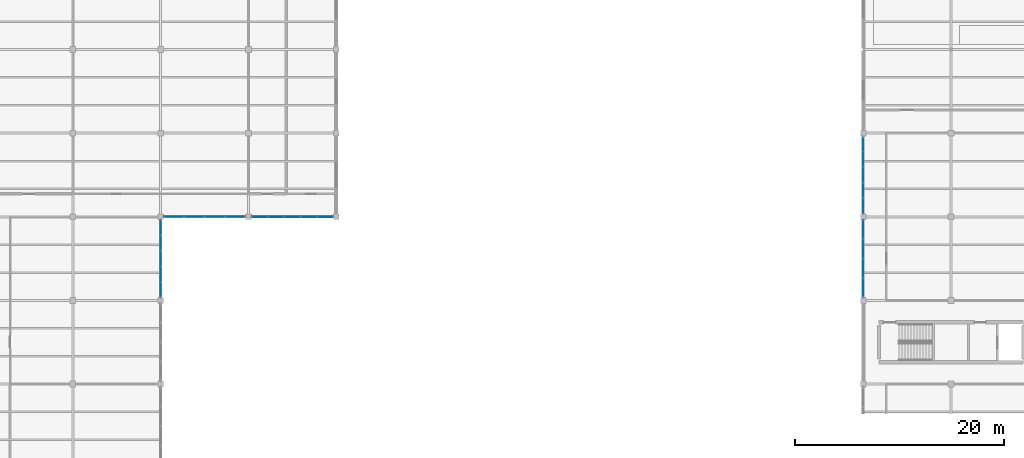
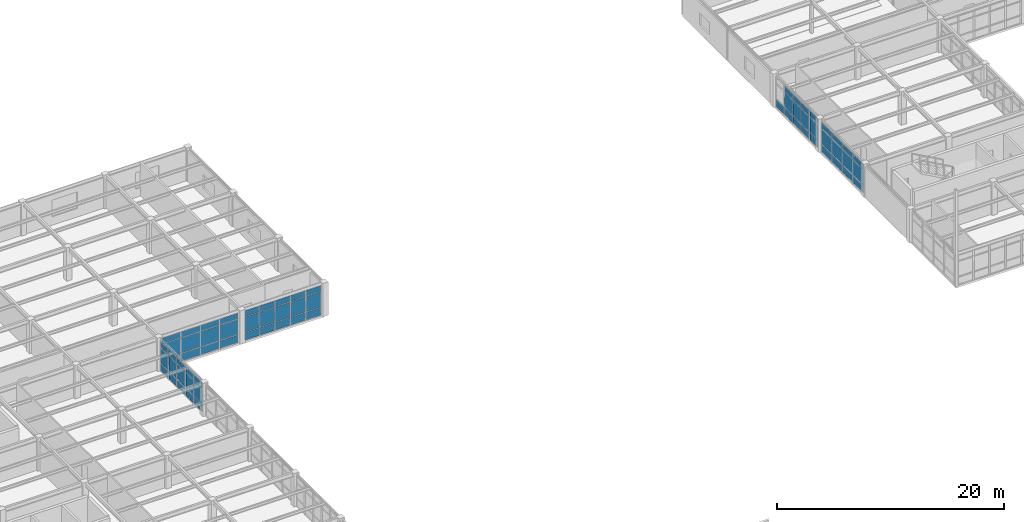
# One storey, part 36 of 53: 67 plates, 5 elements without a shape of their own.
"""IFC4 building model written with IfcOpenShell, lengths in metres."""

import ifcopenshell
import ifcopenshell.guid

model = None  # the IFC model being written
_history = None  # IfcOwnerHistory: only IFC2X3 demands one
_inside = {}  # id of a spatial element -> (the spatial element, [elements in it])
_under = {}  # id of a project, library or spatial element -> (it, [spatial elements below it])
_declared = {}  # id of a project -> (the project, [libraries it declares])
_typed = {}  # id of a type object -> (the type object, [elements of that type])
_made_of = {}  # id of a material, layer set ... -> (it, [elements and type objects made of it])


def new_model(schema):
    """Start an empty IFC model of exactly this schema.

    Asked for "IFC4X3", IfcOpenShell would pick the latest addendum, in which some entities
    have other attributes; the version numbers below select the first issue.
    IFC2X3 requires an IfcOwnerHistory on every rooted entity: one is made here for all.
    """
    global model, _history
    if schema == "IFC4X3":
        model = ifcopenshell.file(schema_version=(4, 3, 0, 0))
    else:
        model = ifcopenshell.file(schema=schema)
    _inside.clear()
    _under.clear()
    _declared.clear()
    _typed.clear()
    _made_of.clear()
    _history = None
    if model.schema == "IFC2X3":
        org = make("IfcOrganization", Name="unknown")
        user = make(
            "IfcPersonAndOrganization",
            ThePerson=make("IfcPerson", FamilyName="unknown"),
            TheOrganization=org,
        )
        app = make(
            "IfcApplication",
            ApplicationDeveloper=org,
            Version="unknown",
            ApplicationFullName="unknown",
            ApplicationIdentifier="unknown",
        )
        _history = make(
            "IfcOwnerHistory",
            OwningUser=user,
            OwningApplication=app,
            ChangeAction="ADDED",
            CreationDate=0,
        )
    return model


def make(cls, **values):
    """One entity of the class cls with the attributes given. An attribute that is None is left unset."""
    return model.create_entity(
        cls, **{name: value for name, value in values.items() if value is not None}
    )


def rooted(cls, **values):
    """An entity with a GlobalId (a new one), such as an element, a storey or a relation."""
    return make(cls, GlobalId=ifcopenshell.guid.new(), OwnerHistory=_history, **values)


def si_unit(unit_type, name, prefix=None):
    """IfcSIUnit, for example si_unit("LENGTHUNIT", "METRE", prefix="MILLI")."""
    return make("IfcSIUnit", UnitType=unit_type, Prefix=prefix, Name=name)


def assignment(units):
    """IfcUnitAssignment: the units of a project."""
    return None if units is None else make("IfcUnitAssignment", Units=units)


def point(xyz):
    """IfcCartesianPoint."""
    return None if xyz is None else make("IfcCartesianPoint", Coordinates=xyz)


def direction(xyz):
    """IfcDirection."""
    return None if xyz is None else make("IfcDirection", DirectionRatios=xyz)


def frame(location, z_axis=None, x_axis=None):
    """IfcAxis2Placement3D, a coordinate frame: its origin and axes. An axis left out is left unset."""
    return make(
        "IfcAxis2Placement3D",
        Location=point(location),
        Axis=direction(z_axis),
        RefDirection=direction(x_axis),
    )


def frame_2d(location, x_axis=None):
    """IfcAxis2Placement2D, a coordinate frame in the plane: its origin and x axis."""
    return make(
        "IfcAxis2Placement2D", Location=point(location), RefDirection=direction(x_axis)
    )


def origin():
    """The frame at (0, 0, 0) with its axes left unset."""
    return frame((0.0, 0.0, 0.0))


def origin_2d():
    """The frame at (0, 0) in the plane with its x axis left unset."""
    return frame_2d((0.0, 0.0))


def place(relative_to, where):
    """IfcLocalPlacement: puts the frame where relative to a parent placement (None: the world)."""
    return make(
        "IfcLocalPlacement", PlacementRelTo=relative_to, RelativePlacement=where
    )


def context(
    kind, dimensions, precision=None, world=None, true_north=None, identifier=None
):
    """IfcGeometricRepresentationContext, for example the 3D "Model" context."""
    return make(
        "IfcGeometricRepresentationContext",
        ContextIdentifier=identifier,
        ContextType=kind,
        CoordinateSpaceDimension=dimensions,
        Precision=precision,
        WorldCoordinateSystem=world,
        TrueNorth=true_north,
    )


def subcontext(parent, identifier, kind, view, scale=None):
    """IfcGeometricRepresentationSubContext, for example "Body" below "Model"."""
    return make(
        "IfcGeometricRepresentationSubContext",
        ContextIdentifier=identifier,
        ContextType=kind,
        ParentContext=parent,
        TargetScale=scale,
        TargetView=view,
    )


def project(units=None, contexts=None):
    """IfcProject with its units and contexts."""
    return rooted(
        "IfcProject",
        Name="project",
        RepresentationContexts=contexts,
        UnitsInContext=assignment(units),
    )


def spatial(cls, under=None, at=None, **own):
    """A site, building, storey or space (cls), placed at a placement, below another one or the project."""
    s = rooted(cls, ObjectPlacement=at, **own)
    if under is not None:
        _under.setdefault(under.id(), (under, []))[1].append(s)
    return s


def profile(cls, at=None, kind="AREA", **sizes):
    """A parametric profile (cls). Its sizes go by their IFC names, for example OverallWidth=200.0."""
    return make(cls, ProfileType=kind, Position=at, **sizes)


def rectangle(**sizes):
    """IfcRectangleProfileDef."""
    return profile("IfcRectangleProfileDef", **sizes)


def extrude(swept, where, along, depth):
    """IfcExtrudedAreaSolid: the profile swept, set in the frame where, extruded along a direction by depth."""
    return make(
        "IfcExtrudedAreaSolid",
        SweptArea=swept,
        Position=where,
        ExtrudedDirection=direction(along),
        Depth=depth,
    )


def shape(context_of_items, identifier, shape_type, items):
    """IfcShapeRepresentation: the items that make up one representation, for example the "Body"."""
    return make(
        "IfcShapeRepresentation",
        ContextOfItems=context_of_items,
        RepresentationIdentifier=identifier,
        RepresentationType=shape_type,
        Items=items,
    )


def material(Name=None, Category=None):
    """IfcMaterial."""
    return make("IfcMaterial", Name=Name, Category=Category)


def layer(
    of_material, thickness, ventilated=None, Name=None, Category=None, Priority=None
):
    """IfcMaterialLayer: one layer of a wall or slab, of a material (None: an air gap)."""
    return make(
        "IfcMaterialLayer",
        Material=of_material,
        LayerThickness=thickness,
        IsVentilated=ventilated,
        Name=Name,
        Category=Category,
        Priority=Priority,
    )


def layer_set(layers, Name=None):
    """IfcMaterialLayerSet."""
    return make("IfcMaterialLayerSet", MaterialLayers=layers, LayerSetName=Name)


def made_of(thing, what):
    """Note that an element or type object is made of a material, layer set ...; save() writes the relation."""
    if what is not None:
        _made_of.setdefault(what.id(), (what, []))[1].append(thing)
    return thing


def type_object(cls, material=None, **own):
    """A type object (cls), such as IfcWallType, which elements share."""
    return made_of(rooted(cls, **own), material)


def element(
    cls,
    number,
    at=None,
    inside=None,
    cuts=None,
    type_object=None,
    material=None,
    context=None,
    identifier="Body",
    shape_type=None,
    held_by="IfcProductDefinitionShape",
    body=None,
    shapes=None,
    **own,
):
    """One element of the class cls, such as IfcWall. Its Tag is "e" and its number.

    at: its placement. inside: the storey or other place that contains it. cuts: it is an
    opening in that element (IfcRelVoidsElement). A single representation is given by context,
    identifier, shape_type and body (its items); several are given by shapes. held_by: the class
    of the entity that holds the representations. save() writes the other relations.
    """
    e = rooted(cls, Tag="e%d" % number, ObjectPlacement=at, **own)
    if body is not None:
        shapes = [shape(context, identifier, shape_type, body)]
    if shapes is not None:
        e.Representation = make(held_by, Representations=shapes)
    if inside is not None:
        _inside.setdefault(inside.id(), (inside, []))[1].append(e)
    if cuts is not None:
        rooted(
            "IfcRelVoidsElement", RelatingBuildingElement=cuts, RelatedOpeningElement=e
        )
    if type_object is not None:
        _typed.setdefault(type_object.id(), (type_object, []))[1].append(e)
    return made_of(e, material)


def aggregate(whole, parts):
    """IfcRelAggregates: a whole, such as a stair, and the parts it consists of."""
    return rooted("IfcRelAggregates", RelatingObject=whole, RelatedObjects=parts)


def save(model, path):
    """Write the relations noted so far, then the file.

    IfcRelAggregates (storeys below a building ...), IfcRelContainedInSpatialStructure (elements
    in a storey), IfcRelDefinesByType, IfcRelAssociatesMaterial and IfcRelDeclares: one each for
    every whole, place, type object, material and project.
    """
    for whole, parts in _under.values():
        aggregate(whole, parts)
    for where, things in _inside.values():
        rooted(
            "IfcRelContainedInSpatialStructure",
            RelatedElements=things,
            RelatingStructure=where,
        )
    for kind, things in _typed.values():
        rooted("IfcRelDefinesByType", RelatedObjects=things, RelatingType=kind)
    for what, things in _made_of.values():
        rooted("IfcRelAssociatesMaterial", RelatedObjects=things, RelatingMaterial=what)
    for by, libraries in _declared.values():
        rooted("IfcRelDeclares", RelatingContext=by, RelatedDefinitions=libraries)
    model.write(path)


model = new_model("IFC4")

# Units and contexts
model_context = context("Model", 3, precision=1e-05, world=origin(), true_north=direction((0.0, 1.0)))
body_context = subcontext(model_context, "Body", "Model", "MODEL_VIEW")
ifc_project = project(units=[si_unit("LENGTHUNIT", "METRE"), si_unit("AREAUNIT", "SQUARE_METRE"), si_unit("VOLUMEUNIT", "CUBIC_METRE"), si_unit("PLANEANGLEUNIT", "RADIAN"), si_unit("MASSUNIT", "GRAM", prefix="KILO")], contexts=[model_context])

# Site, building, storey
site_placement = place(None, origin())
site = spatial("IfcSite", under=ifc_project, at=site_placement, CompositionType="ELEMENT")
building_placement = place(site_placement, origin())
building = spatial("IfcBuilding", under=site, at=building_placement, Name="Kranzveld Transit Interchange", CompositionType="ELEMENT")
storey_placement = place(building_placement, frame((0.0, 0.0, 13.360107421875)))
storey = spatial("IfcBuildingStorey", under=building, at=storey_placement, Name="L03", CompositionType="ELEMENT", Elevation=13.360107421875)

# Curtain wall, plates
ifc_material_1 = material(Name="Bronze-anodised thermally broken aluminium", Category="aluminium")
ifc_layer_1 = layer(ifc_material_1, 0.1650390625)
ifc_layer_set_1 = layer_set([ifc_layer_1], Name="Bronze-anodised thermally broken aluminium")
curtain_wall_type_1 = type_object("IfcCurtainWallType", Name="Sunny Court Arcade Curtain Wall CW-2", PredefinedType="USERDEFINED", material=ifc_layer_set_1)
curtain_wall_1_placement = place(storey_placement, origin())
curtain_wall_1 = element("IfcCurtainWall", 1, at=curtain_wall_1_placement, inside=storey, type_object=curtain_wall_type_1, Name="L03 Curtain Wall 05/L-05/M", ObjectType="CURTAIN WALL", PredefinedType="USERDEFINED")
ifc_material_2 = material(Name="Solar-control double glazing", Category="glass")
ifc_layer_2 = layer(ifc_material_2, 0.02392578125)
ifc_layer_set_2 = layer_set([ifc_layer_2], Name="Solar-control double glazing")
plate_type_1 = type_object("IfcPlateType", Name="Curtain Panel Clear Glazing 24", PredefinedType="CURTAIN_PANEL", material=ifc_layer_set_2)
plate_1_placement = place(storey_placement, frame((33.60009765625, 81.0361328125, 0.059814453125), z_axis=(0.0, 0.0, 1.0), x_axis=(0.0, 1.0, 0.0)))
plate_1 = element("IfcPlate", 2, at=plate_1_placement, type_object=plate_type_1, Name="CW-2 panel 1.1", PredefinedType="CURTAIN_PANEL", context=body_context, shape_type="SweptSolid", body=[
    extrude(rectangle(XDim=1.392578125, YDim=0.02392578125, at=origin_2d()), origin(), (0.0, 0.0, 1.0), 0.81005859375),
])
plate_2_placement = place(storey_placement, frame((33.60009765625, 81.0361328125, 0.929931640625), z_axis=(0.0, 0.0, 1.0), x_axis=(0.0, 1.0, 0.0)))
plate_2 = element("IfcPlate", 3, at=plate_2_placement, type_object=plate_type_1, Name="CW-2 panel 1.2", PredefinedType="CURTAIN_PANEL", context=body_context, shape_type="SweptSolid", body=[
    extrude(rectangle(XDim=1.392578125, YDim=0.02392578125, at=origin_2d()), origin(), (0.0, 0.0, 1.0), 1.6201171875),
])
plate_3_placement = place(storey_placement, frame((33.60009765625, 81.0361328125, 2.60986328125), z_axis=(0.0, 0.0, 1.0), x_axis=(0.0, 1.0, 0.0)))
plate_3 = element("IfcPlate", 4, at=plate_3_placement, type_object=plate_type_1, Name="CW-2 panel 1.3", PredefinedType="CURTAIN_PANEL", context=body_context, shape_type="SweptSolid", body=[
    extrude(rectangle(XDim=1.392578125, YDim=0.02392578125, at=origin_2d()), origin(), (0.0, 0.0, 1.0), 0.610107421875),
])
plate_4_placement = place(storey_placement, frame((33.60009765625, 82.510009765625, 0.059814453125), z_axis=(0.0, 0.0, 1.0), x_axis=(0.0, 1.0, 0.0)))
plate_4 = element("IfcPlate", 5, at=plate_4_placement, type_object=plate_type_1, Name="CW-2 panel 2.1", PredefinedType="CURTAIN_PANEL", context=body_context, shape_type="SweptSolid", body=[
    extrude(rectangle(XDim=1.425048828125, YDim=0.02392578125, at=origin_2d()), origin(), (0.0, 0.0, 1.0), 0.81005859375),
])
plate_5_placement = place(storey_placement, frame((33.60009765625, 82.510009765625, 0.929931640625), z_axis=(0.0, 0.0, 1.0), x_axis=(0.0, 1.0, 0.0)))
plate_5 = element("IfcPlate", 6, at=plate_5_placement, type_object=plate_type_1, Name="CW-2 panel 2.2", PredefinedType="CURTAIN_PANEL", context=body_context, shape_type="SweptSolid", body=[
    extrude(rectangle(XDim=1.425048828125, YDim=0.02392578125, at=origin_2d()), origin(), (0.0, 0.0, 1.0), 1.6201171875),
])
plate_6_placement = place(storey_placement, frame((33.60009765625, 82.510009765625, 2.60986328125), z_axis=(0.0, 0.0, 1.0), x_axis=(0.0, 1.0, 0.0)))
plate_6 = element("IfcPlate", 7, at=plate_6_placement, type_object=plate_type_1, Name="CW-2 panel 2.3", PredefinedType="CURTAIN_PANEL", context=body_context, shape_type="SweptSolid", body=[
    extrude(rectangle(XDim=1.425048828125, YDim=0.02392578125, at=origin_2d()), origin(), (0.0, 0.0, 1.0), 0.610107421875),
])
plate_7_placement = place(storey_placement, frame((33.60009765625, 84.0, 0.059814453125), z_axis=(0.0, 0.0, 1.0), x_axis=(0.0, 1.0, 0.0)))
plate_7 = element("IfcPlate", 8, at=plate_7_placement, type_object=plate_type_1, Name="CW-2 panel 3.1", PredefinedType="CURTAIN_PANEL", context=body_context, shape_type="SweptSolid", body=[
    extrude(rectangle(XDim=1.425048828125, YDim=0.02392578125, at=origin_2d()), origin(), (0.0, 0.0, 1.0), 0.81005859375),
])
plate_8_placement = place(storey_placement, frame((33.60009765625, 84.0, 0.929931640625), z_axis=(0.0, 0.0, 1.0), x_axis=(0.0, 1.0, 0.0)))
plate_8 = element("IfcPlate", 9, at=plate_8_placement, type_object=plate_type_1, Name="CW-2 panel 3.2", PredefinedType="CURTAIN_PANEL", context=body_context, shape_type="SweptSolid", body=[
    extrude(rectangle(XDim=1.425048828125, YDim=0.02392578125, at=origin_2d()), origin(), (0.0, 0.0, 1.0), 1.6201171875),
])
plate_9_placement = place(storey_placement, frame((33.60009765625, 84.0, 2.60986328125), z_axis=(0.0, 0.0, 1.0), x_axis=(0.0, 1.0, 0.0)))
plate_9 = element("IfcPlate", 10, at=plate_9_placement, type_object=plate_type_1, Name="CW-2 panel 3.3", PredefinedType="CURTAIN_PANEL", context=body_context, shape_type="SweptSolid", body=[
    extrude(rectangle(XDim=1.425048828125, YDim=0.02392578125, at=origin_2d()), origin(), (0.0, 0.0, 1.0), 0.610107421875),
])
plate_10_placement = place(storey_placement, frame((33.60009765625, 85.489990234375, 0.059814453125), z_axis=(0.0, 0.0, 1.0), x_axis=(0.0, 1.0, 0.0)))
plate_10 = element("IfcPlate", 11, at=plate_10_placement, type_object=plate_type_1, Name="CW-2 panel 4.1", PredefinedType="CURTAIN_PANEL", context=body_context, shape_type="SweptSolid", body=[
    extrude(rectangle(XDim=1.425048828125, YDim=0.02392578125, at=origin_2d()), origin(), (0.0, 0.0, 1.0), 0.81005859375),
])
plate_11_placement = place(storey_placement, frame((33.60009765625, 85.489990234375, 0.929931640625), z_axis=(0.0, 0.0, 1.0), x_axis=(0.0, 1.0, 0.0)))
plate_11 = element("IfcPlate", 12, at=plate_11_placement, type_object=plate_type_1, Name="CW-2 panel 4.2", PredefinedType="CURTAIN_PANEL", context=body_context, shape_type="SweptSolid", body=[
    extrude(rectangle(XDim=1.425048828125, YDim=0.02392578125, at=origin_2d()), origin(), (0.0, 0.0, 1.0), 1.6201171875),
])
plate_12_placement = place(storey_placement, frame((33.60009765625, 85.489990234375, 2.60986328125), z_axis=(0.0, 0.0, 1.0), x_axis=(0.0, 1.0, 0.0)))
plate_12 = element("IfcPlate", 13, at=plate_12_placement, type_object=plate_type_1, Name="CW-2 panel 4.3", PredefinedType="CURTAIN_PANEL", context=body_context, shape_type="SweptSolid", body=[
    extrude(rectangle(XDim=1.425048828125, YDim=0.02392578125, at=origin_2d()), origin(), (0.0, 0.0, 1.0), 0.610107421875),
])
plate_13_placement = place(storey_placement, frame((33.60009765625, 86.9638671875, 0.059814453125), z_axis=(0.0, 0.0, 1.0), x_axis=(0.0, 1.0, 0.0)))
plate_13 = element("IfcPlate", 14, at=plate_13_placement, type_object=plate_type_1, Name="CW-2 panel 5.1", PredefinedType="CURTAIN_PANEL", context=body_context, shape_type="SweptSolid", body=[
    extrude(rectangle(XDim=1.392578125, YDim=0.02392578125, at=origin_2d()), origin(), (0.0, 0.0, 1.0), 0.81005859375),
])
plate_14_placement = place(storey_placement, frame((33.60009765625, 86.9638671875, 0.929931640625), z_axis=(0.0, 0.0, 1.0), x_axis=(0.0, 1.0, 0.0)))
plate_14 = element("IfcPlate", 15, at=plate_14_placement, type_object=plate_type_1, Name="CW-2 panel 5.2", PredefinedType="CURTAIN_PANEL", context=body_context, shape_type="SweptSolid", body=[
    extrude(rectangle(XDim=1.392578125, YDim=0.02392578125, at=origin_2d()), origin(), (0.0, 0.0, 1.0), 1.6201171875),
])
plate_15_placement = place(storey_placement, frame((33.60009765625, 86.9638671875, 2.60986328125), z_axis=(0.0, 0.0, 1.0), x_axis=(0.0, 1.0, 0.0)))
plate_15 = element("IfcPlate", 16, at=plate_15_placement, type_object=plate_type_1, Name="CW-2 panel 5.3", PredefinedType="CURTAIN_PANEL", context=body_context, shape_type="SweptSolid", body=[
    extrude(rectangle(XDim=1.392578125, YDim=0.02392578125, at=origin_2d()), origin(), (0.0, 0.0, 1.0), 0.610107421875),
])
aggregate(curtain_wall_1, [plate_1, plate_2, plate_3, plate_4, plate_5, plate_6, plate_7, plate_8, plate_9, plate_10, plate_11, plate_12, plate_13, plate_14, plate_15])

curtain_wall_2_placement = place(storey_placement, origin())
curtain_wall_2 = element("IfcCurtainWall", 17, at=curtain_wall_2_placement, inside=storey, type_object=curtain_wall_type_1, Name="L03 Curtain Wall 13/M-13/N", ObjectType="CURTAIN WALL", PredefinedType="USERDEFINED")
plate_16_placement = place(storey_placement, frame((100.800048828125, 89.0361328125, 0.059814453125), z_axis=(0.0, 0.0, 1.0), x_axis=(0.0, 1.0, 0.0)))
plate_16 = element("IfcPlate", 18, at=plate_16_placement, type_object=plate_type_1, Name="CW-2 panel 1.1", PredefinedType="CURTAIN_PANEL", context=body_context, shape_type="SweptSolid", body=[
    extrude(rectangle(XDim=1.392578125, YDim=0.02392578125, at=origin_2d()), origin(), (0.0, 0.0, 1.0), 0.81005859375),
])
plate_17_placement = place(storey_placement, frame((100.800048828125, 89.0361328125, 0.929931640625), z_axis=(0.0, 0.0, 1.0), x_axis=(0.0, 1.0, 0.0)))
plate_17 = element("IfcPlate", 19, at=plate_17_placement, type_object=plate_type_1, Name="CW-2 panel 1.2", PredefinedType="CURTAIN_PANEL", context=body_context, shape_type="SweptSolid", body=[
    extrude(rectangle(XDim=1.392578125, YDim=0.02392578125, at=origin_2d()), origin(), (0.0, 0.0, 1.0), 1.6201171875),
])
plate_18_placement = place(storey_placement, frame((100.800048828125, 89.0361328125, 2.60986328125), z_axis=(0.0, 0.0, 1.0), x_axis=(0.0, 1.0, 0.0)))
plate_18 = element("IfcPlate", 20, at=plate_18_placement, type_object=plate_type_1, Name="CW-2 panel 1.3", PredefinedType="CURTAIN_PANEL", context=body_context, shape_type="SweptSolid", body=[
    extrude(rectangle(XDim=1.392578125, YDim=0.02392578125, at=origin_2d()), origin(), (0.0, 0.0, 1.0), 0.610107421875),
])
plate_19_placement = place(storey_placement, frame((100.800048828125, 90.510009765625, 0.059814453125), z_axis=(0.0, 0.0, 1.0), x_axis=(0.0, 1.0, 0.0)))
plate_19 = element("IfcPlate", 21, at=plate_19_placement, type_object=plate_type_1, Name="CW-2 panel 2.1", PredefinedType="CURTAIN_PANEL", context=body_context, shape_type="SweptSolid", body=[
    extrude(rectangle(XDim=1.425048828125, YDim=0.02392578125, at=origin_2d()), origin(), (0.0, 0.0, 1.0), 0.81005859375),
])
plate_20_placement = place(storey_placement, frame((100.800048828125, 90.510009765625, 0.929931640625), z_axis=(0.0, 0.0, 1.0), x_axis=(0.0, 1.0, 0.0)))
plate_20 = element("IfcPlate", 22, at=plate_20_placement, type_object=plate_type_1, Name="CW-2 panel 2.2", PredefinedType="CURTAIN_PANEL", context=body_context, shape_type="SweptSolid", body=[
    extrude(rectangle(XDim=1.425048828125, YDim=0.02392578125, at=origin_2d()), origin(), (0.0, 0.0, 1.0), 1.6201171875),
])
plate_21_placement = place(storey_placement, frame((100.800048828125, 90.510009765625, 2.60986328125), z_axis=(0.0, 0.0, 1.0), x_axis=(0.0, 1.0, 0.0)))
plate_21 = element("IfcPlate", 23, at=plate_21_placement, type_object=plate_type_1, Name="CW-2 panel 2.3", PredefinedType="CURTAIN_PANEL", context=body_context, shape_type="SweptSolid", body=[
    extrude(rectangle(XDim=1.425048828125, YDim=0.02392578125, at=origin_2d()), origin(), (0.0, 0.0, 1.0), 0.610107421875),
])
plate_22_placement = place(storey_placement, frame((100.800048828125, 92.0, 0.059814453125), z_axis=(0.0, 0.0, 1.0), x_axis=(0.0, 1.0, 0.0)))
plate_22 = element("IfcPlate", 24, at=plate_22_placement, type_object=plate_type_1, Name="CW-2 panel 3.1", PredefinedType="CURTAIN_PANEL", context=body_context, shape_type="SweptSolid", body=[
    extrude(rectangle(XDim=1.425048828125, YDim=0.02392578125, at=origin_2d()), origin(), (0.0, 0.0, 1.0), 0.81005859375),
])
plate_23_placement = place(storey_placement, frame((100.800048828125, 92.0, 0.929931640625), z_axis=(0.0, 0.0, 1.0), x_axis=(0.0, 1.0, 0.0)))
plate_23 = element("IfcPlate", 25, at=plate_23_placement, type_object=plate_type_1, Name="CW-2 panel 3.2", PredefinedType="CURTAIN_PANEL", context=body_context, shape_type="SweptSolid", body=[
    extrude(rectangle(XDim=1.425048828125, YDim=0.02392578125, at=origin_2d()), origin(), (0.0, 0.0, 1.0), 1.6201171875),
])
plate_24_placement = place(storey_placement, frame((100.800048828125, 92.0, 2.60986328125), z_axis=(0.0, 0.0, 1.0), x_axis=(0.0, 1.0, 0.0)))
plate_24 = element("IfcPlate", 26, at=plate_24_placement, type_object=plate_type_1, Name="CW-2 panel 3.3", PredefinedType="CURTAIN_PANEL", context=body_context, shape_type="SweptSolid", body=[
    extrude(rectangle(XDim=1.425048828125, YDim=0.02392578125, at=origin_2d()), origin(), (0.0, 0.0, 1.0), 0.610107421875),
])
plate_25_placement = place(storey_placement, frame((100.800048828125, 93.489990234375, 0.059814453125), z_axis=(0.0, 0.0, 1.0), x_axis=(0.0, 1.0, 0.0)))
plate_25 = element("IfcPlate", 27, at=plate_25_placement, type_object=plate_type_1, Name="CW-2 panel 4.1", PredefinedType="CURTAIN_PANEL", context=body_context, shape_type="SweptSolid", body=[
    extrude(rectangle(XDim=1.425048828125, YDim=0.02392578125, at=origin_2d()), origin(), (0.0, 0.0, 1.0), 0.81005859375),
])
plate_26_placement = place(storey_placement, frame((100.800048828125, 93.489990234375, 0.929931640625), z_axis=(0.0, 0.0, 1.0), x_axis=(0.0, 1.0, 0.0)))
plate_26 = element("IfcPlate", 28, at=plate_26_placement, type_object=plate_type_1, Name="CW-2 panel 4.2", PredefinedType="CURTAIN_PANEL", context=body_context, shape_type="SweptSolid", body=[
    extrude(rectangle(XDim=1.425048828125, YDim=0.02392578125, at=origin_2d()), origin(), (0.0, 0.0, 1.0), 1.6201171875),
])
plate_27_placement = place(storey_placement, frame((100.800048828125, 93.489990234375, 2.60986328125), z_axis=(0.0, 0.0, 1.0), x_axis=(0.0, 1.0, 0.0)))
plate_27 = element("IfcPlate", 29, at=plate_27_placement, type_object=plate_type_1, Name="CW-2 panel 4.3", PredefinedType="CURTAIN_PANEL", context=body_context, shape_type="SweptSolid", body=[
    extrude(rectangle(XDim=1.425048828125, YDim=0.02392578125, at=origin_2d()), origin(), (0.0, 0.0, 1.0), 0.610107421875),
])
plate_28_placement = place(storey_placement, frame((100.800048828125, 94.9638671875, 0.059814453125), z_axis=(0.0, 0.0, 1.0), x_axis=(0.0, 1.0, 0.0)))
plate_28 = element("IfcPlate", 30, at=plate_28_placement, type_object=plate_type_1, Name="CW-2 panel 5.1", PredefinedType="CURTAIN_PANEL", context=body_context, shape_type="SweptSolid", body=[
    extrude(rectangle(XDim=1.392578125, YDim=0.02392578125, at=origin_2d()), origin(), (0.0, 0.0, 1.0), 0.81005859375),
])
aggregate(curtain_wall_2, [plate_16, plate_17, plate_18, plate_19, plate_20, plate_21, plate_22, plate_23, plate_24, plate_25, plate_26, plate_27, plate_28])

ifc_material_3 = material(Name="Bronze-anodised thermally broken aluminium", Category="aluminium")
ifc_layer_3 = layer(ifc_material_3, 0.179931640625)
ifc_layer_set_3 = layer_set([ifc_layer_3], Name="Bronze-anodised thermally broken aluminium")
curtain_wall_type_2 = type_object("IfcCurtainWallType", Name="Concourse Unitised Curtain Wall CW-1", PredefinedType="USERDEFINED", material=ifc_layer_set_3)
curtain_wall_3_placement = place(storey_placement, origin())
curtain_wall_3 = element("IfcCurtainWall", 31, at=curtain_wall_3_placement, inside=storey, type_object=curtain_wall_type_2, Name="L03 Curtain Wall 13/L-13/M", ObjectType="CURTAIN WALL", PredefinedType="USERDEFINED")
ifc_material_4 = material(Name="Solar-control double glazing", Category="glass")
ifc_layer_4 = layer(ifc_material_4, 0.028076171875)
ifc_layer_set_4 = layer_set([ifc_layer_4], Name="Solar-control double glazing")
plate_type_2 = type_object("IfcPlateType", Name="Curtain Panel Double Glazing 28", PredefinedType="CURTAIN_PANEL", material=ifc_layer_set_4)
plate_29_placement = place(storey_placement, frame((100.800048828125, 81.222412109375, 0.06494140625), z_axis=(0.0, 0.0, 1.0), x_axis=(0.0, 1.0, 0.0)))
plate_29 = element("IfcPlate", 32, at=plate_29_placement, type_object=plate_type_2, Name="CW-1 panel 1.1", PredefinedType="CURTAIN_PANEL", context=body_context, shape_type="SweptSolid", body=[
    extrude(rectangle(XDim=1.764892578125, YDim=0.028076171875, at=origin_2d()), origin(), (0.0, 0.0, 1.0), 0.802490234375),
])
plate_30_placement = place(storey_placement, frame((100.800048828125, 81.222412109375, 0.9326171875), z_axis=(0.0, 0.0, 1.0), x_axis=(0.0, 1.0, 0.0)))
plate_30 = element("IfcPlate", 33, at=plate_30_placement, type_object=plate_type_2, Name="CW-1 panel 1.2", PredefinedType="CURTAIN_PANEL", context=body_context, shape_type="SweptSolid", body=[
    extrude(rectangle(XDim=1.764892578125, YDim=0.028076171875, at=origin_2d()), origin(), (0.0, 0.0, 1.0), 1.614990234375),
])
plate_31_placement = place(storey_placement, frame((100.800048828125, 81.222412109375, 2.6123046875), z_axis=(0.0, 0.0, 1.0), x_axis=(0.0, 1.0, 0.0)))
plate_31 = element("IfcPlate", 34, at=plate_31_placement, type_object=plate_type_2, Name="CW-1 panel 1.3", PredefinedType="CURTAIN_PANEL", context=body_context, shape_type="SweptSolid", body=[
    extrude(rectangle(XDim=1.764892578125, YDim=0.028076171875, at=origin_2d()), origin(), (0.0, 0.0, 1.0), 0.6025390625),
])
plate_32_placement = place(storey_placement, frame((100.800048828125, 83.06884765625, 0.06494140625), z_axis=(0.0, 0.0, 1.0), x_axis=(0.0, 1.0, 0.0)))
plate_32 = element("IfcPlate", 35, at=plate_32_placement, type_object=plate_type_2, Name="CW-1 panel 2.1", PredefinedType="CURTAIN_PANEL", context=body_context, shape_type="SweptSolid", body=[
    extrude(rectangle(XDim=1.797607421875, YDim=0.028076171875, at=origin_2d()), origin(), (0.0, 0.0, 1.0), 0.802490234375),
])
plate_33_placement = place(storey_placement, frame((100.800048828125, 83.06884765625, 0.9326171875), z_axis=(0.0, 0.0, 1.0), x_axis=(0.0, 1.0, 0.0)))
plate_33 = element("IfcPlate", 36, at=plate_33_placement, type_object=plate_type_2, Name="CW-1 panel 2.2", PredefinedType="CURTAIN_PANEL", context=body_context, shape_type="SweptSolid", body=[
    extrude(rectangle(XDim=1.797607421875, YDim=0.028076171875, at=origin_2d()), origin(), (0.0, 0.0, 1.0), 1.614990234375),
])
plate_34_placement = place(storey_placement, frame((100.800048828125, 83.06884765625, 2.6123046875), z_axis=(0.0, 0.0, 1.0), x_axis=(0.0, 1.0, 0.0)))
plate_34 = element("IfcPlate", 37, at=plate_34_placement, type_object=plate_type_2, Name="CW-1 panel 2.3", PredefinedType="CURTAIN_PANEL", context=body_context, shape_type="SweptSolid", body=[
    extrude(rectangle(XDim=1.797607421875, YDim=0.028076171875, at=origin_2d()), origin(), (0.0, 0.0, 1.0), 0.6025390625),
])
plate_35_placement = place(storey_placement, frame((100.800048828125, 84.93115234375, 0.06494140625), z_axis=(0.0, 0.0, 1.0), x_axis=(0.0, 1.0, 0.0)))
plate_35 = element("IfcPlate", 38, at=plate_35_placement, type_object=plate_type_2, Name="CW-1 panel 3.1", PredefinedType="CURTAIN_PANEL", context=body_context, shape_type="SweptSolid", body=[
    extrude(rectangle(XDim=1.797607421875, YDim=0.028076171875, at=origin_2d()), origin(), (0.0, 0.0, 1.0), 0.802490234375),
])
plate_36_placement = place(storey_placement, frame((100.800048828125, 84.93115234375, 0.9326171875), z_axis=(0.0, 0.0, 1.0), x_axis=(0.0, 1.0, 0.0)))
plate_36 = element("IfcPlate", 39, at=plate_36_placement, type_object=plate_type_2, Name="CW-1 panel 3.2", PredefinedType="CURTAIN_PANEL", context=body_context, shape_type="SweptSolid", body=[
    extrude(rectangle(XDim=1.797607421875, YDim=0.028076171875, at=origin_2d()), origin(), (0.0, 0.0, 1.0), 1.614990234375),
])
plate_37_placement = place(storey_placement, frame((100.800048828125, 84.93115234375, 2.6123046875), z_axis=(0.0, 0.0, 1.0), x_axis=(0.0, 1.0, 0.0)))
plate_37 = element("IfcPlate", 40, at=plate_37_placement, type_object=plate_type_2, Name="CW-1 panel 3.3", PredefinedType="CURTAIN_PANEL", context=body_context, shape_type="SweptSolid", body=[
    extrude(rectangle(XDim=1.797607421875, YDim=0.028076171875, at=origin_2d()), origin(), (0.0, 0.0, 1.0), 0.6025390625),
])
plate_38_placement = place(storey_placement, frame((100.800048828125, 86.777587890625, 0.06494140625), z_axis=(0.0, 0.0, 1.0), x_axis=(0.0, 1.0, 0.0)))
plate_38 = element("IfcPlate", 41, at=plate_38_placement, type_object=plate_type_2, Name="CW-1 panel 4.1", PredefinedType="CURTAIN_PANEL", context=body_context, shape_type="SweptSolid", body=[
    extrude(rectangle(XDim=1.764892578125, YDim=0.028076171875, at=origin_2d()), origin(), (0.0, 0.0, 1.0), 0.802490234375),
])
plate_39_placement = place(storey_placement, frame((100.800048828125, 86.777587890625, 0.9326171875), z_axis=(0.0, 0.0, 1.0), x_axis=(0.0, 1.0, 0.0)))
plate_39 = element("IfcPlate", 42, at=plate_39_placement, type_object=plate_type_2, Name="CW-1 panel 4.2", PredefinedType="CURTAIN_PANEL", context=body_context, shape_type="SweptSolid", body=[
    extrude(rectangle(XDim=1.764892578125, YDim=0.028076171875, at=origin_2d()), origin(), (0.0, 0.0, 1.0), 1.614990234375),
])
plate_40_placement = place(storey_placement, frame((100.800048828125, 86.777587890625, 2.6123046875), z_axis=(0.0, 0.0, 1.0), x_axis=(0.0, 1.0, 0.0)))
plate_40 = element("IfcPlate", 43, at=plate_40_placement, type_object=plate_type_2, Name="CW-1 panel 4.3", PredefinedType="CURTAIN_PANEL", context=body_context, shape_type="SweptSolid", body=[
    extrude(rectangle(XDim=1.764892578125, YDim=0.028076171875, at=origin_2d()), origin(), (0.0, 0.0, 1.0), 0.6025390625),
])
aggregate(curtain_wall_3, [plate_29, plate_30, plate_31, plate_32, plate_33, plate_34, plate_35, plate_36, plate_37, plate_38, plate_39, plate_40])

ifc_material_5 = material(Name="Bronze-anodised thermally broken aluminium", Category="aluminium")
ifc_layer_5 = layer(ifc_material_5, 0.18505859375)
ifc_layer_set_5 = layer_set([ifc_layer_5], Name="Bronze-anodised thermally broken aluminium")
curtain_wall_type_3 = type_object("IfcCurtainWallType", Name="Control Crown Observation Facade CW-5", PredefinedType="USERDEFINED", material=ifc_layer_set_5)
curtain_wall_4_placement = place(storey_placement, origin())
curtain_wall_4 = element("IfcCurtainWall", 44, at=curtain_wall_4_placement, inside=storey, type_object=curtain_wall_type_3, Name="L03 Curtain Wall 05/M-06/M", ObjectType="CURTAIN WALL", PredefinedType="USERDEFINED")
ifc_material_6 = material(Name="Solar-control double glazing", Category="glass")
ifc_layer_6 = layer(ifc_material_6, 0.035888671875)
ifc_layer_set_6 = layer_set([ifc_layer_6], Name="Solar-control double glazing")
plate_type_3 = type_object("IfcPlateType", Name="Curtain Panel Triple Glazing 36", PredefinedType="CURTAIN_PANEL", material=ifc_layer_set_6)
plate_41_placement = place(storey_placement, frame((34.87255859375, 88.0, 0.06494140625), z_axis=(0.0, 0.0, 1.0), x_axis=(1.0, 0.0, 0.0)))
plate_41 = element("IfcPlate", 45, at=plate_41_placement, type_object=plate_type_3, Name="CW-5 panel 1.1", PredefinedType="CURTAIN_PANEL", context=body_context, shape_type="SweptSolid", body=[
    extrude(rectangle(XDim=1.864990234375, YDim=0.035888671875, at=origin_2d()), origin(), (0.0, 0.0, 1.0), 0.802490234375),
])
plate_42_placement = place(storey_placement, frame((34.87255859375, 88.0, 0.9326171875), z_axis=(0.0, 0.0, 1.0), x_axis=(1.0, 0.0, 0.0)))
plate_42 = element("IfcPlate", 46, at=plate_42_placement, type_object=plate_type_3, Name="CW-5 panel 1.2", PredefinedType="CURTAIN_PANEL", context=body_context, shape_type="SweptSolid", body=[
    extrude(rectangle(XDim=1.864990234375, YDim=0.035888671875, at=origin_2d()), origin(), (0.0, 0.0, 1.0), 1.614990234375),
])
plate_43_placement = place(storey_placement, frame((34.87255859375, 88.0, 2.6123046875), z_axis=(0.0, 0.0, 1.0), x_axis=(1.0, 0.0, 0.0)))
plate_43 = element("IfcPlate", 47, at=plate_43_placement, type_object=plate_type_3, Name="CW-5 panel 1.3", PredefinedType="CURTAIN_PANEL", context=body_context, shape_type="SweptSolid", body=[
    extrude(rectangle(XDim=1.864990234375, YDim=0.035888671875, at=origin_2d()), origin(), (0.0, 0.0, 1.0), 0.6025390625),
])
plate_44_placement = place(storey_placement, frame((36.81884765625, 88.0, 0.06494140625), z_axis=(0.0, 0.0, 1.0), x_axis=(1.0, 0.0, 0.0)))
plate_44 = element("IfcPlate", 48, at=plate_44_placement, type_object=plate_type_3, Name="CW-5 panel 2.1", PredefinedType="CURTAIN_PANEL", context=body_context, shape_type="SweptSolid", body=[
    extrude(rectangle(XDim=1.8974609375, YDim=0.035888671875, at=origin_2d()), origin(), (0.0, 0.0, 1.0), 0.802490234375),
])
plate_45_placement = place(storey_placement, frame((36.81884765625, 88.0, 0.9326171875), z_axis=(0.0, 0.0, 1.0), x_axis=(1.0, 0.0, 0.0)))
plate_45 = element("IfcPlate", 49, at=plate_45_placement, type_object=plate_type_3, Name="CW-5 panel 2.2", PredefinedType="CURTAIN_PANEL", context=body_context, shape_type="SweptSolid", body=[
    extrude(rectangle(XDim=1.8974609375, YDim=0.035888671875, at=origin_2d()), origin(), (0.0, 0.0, 1.0), 1.614990234375),
])
plate_46_placement = place(storey_placement, frame((36.81884765625, 88.0, 2.6123046875), z_axis=(0.0, 0.0, 1.0), x_axis=(1.0, 0.0, 0.0)))
plate_46 = element("IfcPlate", 50, at=plate_46_placement, type_object=plate_type_3, Name="CW-5 panel 2.3", PredefinedType="CURTAIN_PANEL", context=body_context, shape_type="SweptSolid", body=[
    extrude(rectangle(XDim=1.8974609375, YDim=0.035888671875, at=origin_2d()), origin(), (0.0, 0.0, 1.0), 0.6025390625),
])
plate_47_placement = place(storey_placement, frame((38.78125, 88.0, 0.06494140625), z_axis=(0.0, 0.0, 1.0), x_axis=(1.0, 0.0, 0.0)))
plate_47 = element("IfcPlate", 51, at=plate_47_placement, type_object=plate_type_3, Name="CW-5 panel 3.1", PredefinedType="CURTAIN_PANEL", context=body_context, shape_type="SweptSolid", body=[
    extrude(rectangle(XDim=1.8974609375, YDim=0.035888671875, at=origin_2d()), origin(), (0.0, 0.0, 1.0), 0.802490234375),
])
plate_48_placement = place(storey_placement, frame((38.78125, 88.0, 0.9326171875), z_axis=(0.0, 0.0, 1.0), x_axis=(1.0, 0.0, 0.0)))
plate_48 = element("IfcPlate", 52, at=plate_48_placement, type_object=plate_type_3, Name="CW-5 panel 3.2", PredefinedType="CURTAIN_PANEL", context=body_context, shape_type="SweptSolid", body=[
    extrude(rectangle(XDim=1.8974609375, YDim=0.035888671875, at=origin_2d()), origin(), (0.0, 0.0, 1.0), 1.614990234375),
])
plate_49_placement = place(storey_placement, frame((38.78125, 88.0, 2.6123046875), z_axis=(0.0, 0.0, 1.0), x_axis=(1.0, 0.0, 0.0)))
plate_49 = element("IfcPlate", 53, at=plate_49_placement, type_object=plate_type_3, Name="CW-5 panel 3.3", PredefinedType="CURTAIN_PANEL", context=body_context, shape_type="SweptSolid", body=[
    extrude(rectangle(XDim=1.8974609375, YDim=0.035888671875, at=origin_2d()), origin(), (0.0, 0.0, 1.0), 0.6025390625),
])
plate_50_placement = place(storey_placement, frame((40.7275390625, 88.0, 0.06494140625), z_axis=(0.0, 0.0, 1.0), x_axis=(1.0, 0.0, 0.0)))
plate_50 = element("IfcPlate", 54, at=plate_50_placement, type_object=plate_type_3, Name="CW-5 panel 4.1", PredefinedType="CURTAIN_PANEL", context=body_context, shape_type="SweptSolid", body=[
    extrude(rectangle(XDim=1.864990234375, YDim=0.035888671875, at=origin_2d()), origin(), (0.0, 0.0, 1.0), 0.802490234375),
])
plate_51_placement = place(storey_placement, frame((40.7275390625, 88.0, 0.9326171875), z_axis=(0.0, 0.0, 1.0), x_axis=(1.0, 0.0, 0.0)))
plate_51 = element("IfcPlate", 55, at=plate_51_placement, type_object=plate_type_3, Name="CW-5 panel 4.2", PredefinedType="CURTAIN_PANEL", context=body_context, shape_type="SweptSolid", body=[
    extrude(rectangle(XDim=1.864990234375, YDim=0.035888671875, at=origin_2d()), origin(), (0.0, 0.0, 1.0), 1.614990234375),
])
plate_52_placement = place(storey_placement, frame((40.7275390625, 88.0, 2.6123046875), z_axis=(0.0, 0.0, 1.0), x_axis=(1.0, 0.0, 0.0)))
plate_52 = element("IfcPlate", 56, at=plate_52_placement, type_object=plate_type_3, Name="CW-5 panel 4.3", PredefinedType="CURTAIN_PANEL", context=body_context, shape_type="SweptSolid", body=[
    extrude(rectangle(XDim=1.864990234375, YDim=0.035888671875, at=origin_2d()), origin(), (0.0, 0.0, 1.0), 0.6025390625),
])
aggregate(curtain_wall_4, [plate_41, plate_42, plate_43, plate_44, plate_45, plate_46, plate_47, plate_48, plate_49, plate_50, plate_51, plate_52])

ifc_material_7 = material(Name="Bronze-anodised thermally broken aluminium", Category="aluminium")
ifc_layer_7 = layer(ifc_material_7, 0.155029296875)
ifc_layer_set_7 = layer_set([ifc_layer_7], Name="Bronze-anodised thermally broken aluminium")
curtain_wall_type_4 = type_object("IfcCurtainWallType", Name="Operations Courtyard Glazed Screen CW-6", PredefinedType="USERDEFINED", material=ifc_layer_set_7)
curtain_wall_5_placement = place(storey_placement, origin())
curtain_wall_5 = element("IfcCurtainWall", 57, at=curtain_wall_5_placement, inside=storey, type_object=curtain_wall_type_4, Name="L03 Curtain Wall 06/M-07/M", ObjectType="CURTAIN WALL", PredefinedType="USERDEFINED")
ifc_material_8 = material(Name="Ochre Pretoria sandstone cladding, 45 MPa", Category="masonry")
ifc_layer_8 = layer(ifc_material_8, 0.0458984375)
ifc_layer_set_8 = layer_set([ifc_layer_8], Name="Ochre Pretoria sandstone cladding, 45 MPa")
plate_type_4 = type_object("IfcPlateType", Name="Curtain Spandrel Sandstone 46", PredefinedType="CURTAIN_PANEL", material=ifc_layer_set_8)
plate_53_placement = place(storey_placement, frame((43.076171875, 88.0, 0.059814453125), z_axis=(0.0, 0.0, 1.0), x_axis=(1.0, 0.0, 0.0)))
plate_53 = element("IfcPlate", 58, at=plate_53_placement, type_object=plate_type_4, Name="CW-6 panel 1.1", PredefinedType="CURTAIN_PANEL", context=body_context, shape_type="SweptSolid", body=[
    extrude(rectangle(XDim=1.472412109375, YDim=0.0458984375, at=origin_2d()), origin(), (0.0, 0.0, 1.0), 0.81005859375),
])
plate_54_placement = place(storey_placement, frame((43.076171875, 88.0, 0.929931640625), z_axis=(0.0, 0.0, 1.0), x_axis=(1.0, 0.0, 0.0)))
plate_54 = element("IfcPlate", 59, at=plate_54_placement, type_object=plate_type_4, Name="CW-6 panel 1.2", PredefinedType="CURTAIN_PANEL", context=body_context, shape_type="SweptSolid", body=[
    extrude(rectangle(XDim=1.472412109375, YDim=0.0458984375, at=origin_2d()), origin(), (0.0, 0.0, 1.0), 1.6201171875),
])
plate_55_placement = place(storey_placement, frame((43.076171875, 88.0, 2.60986328125), z_axis=(0.0, 0.0, 1.0), x_axis=(1.0, 0.0, 0.0)))
plate_55 = element("IfcPlate", 60, at=plate_55_placement, type_object=plate_type_4, Name="CW-6 panel 1.3", PredefinedType="CURTAIN_PANEL", context=body_context, shape_type="SweptSolid", body=[
    extrude(rectangle(XDim=1.472412109375, YDim=0.0458984375, at=origin_2d()), origin(), (0.0, 0.0, 1.0), 0.610107421875),
])
plate_56_placement = place(storey_placement, frame((44.6298828125, 88.0, 0.059814453125), z_axis=(0.0, 0.0, 1.0), x_axis=(1.0, 0.0, 0.0)))
plate_56 = element("IfcPlate", 61, at=plate_56_placement, type_object=plate_type_4, Name="CW-6 panel 2.1", PredefinedType="CURTAIN_PANEL", context=body_context, shape_type="SweptSolid", body=[
    extrude(rectangle(XDim=1.5048828125, YDim=0.0458984375, at=origin_2d()), origin(), (0.0, 0.0, 1.0), 0.81005859375),
])
plate_57_placement = place(storey_placement, frame((44.6298828125, 88.0, 0.929931640625), z_axis=(0.0, 0.0, 1.0), x_axis=(1.0, 0.0, 0.0)))
plate_57 = element("IfcPlate", 62, at=plate_57_placement, type_object=plate_type_4, Name="CW-6 panel 2.2", PredefinedType="CURTAIN_PANEL", context=body_context, shape_type="SweptSolid", body=[
    extrude(rectangle(XDim=1.5048828125, YDim=0.0458984375, at=origin_2d()), origin(), (0.0, 0.0, 1.0), 1.6201171875),
])
plate_58_placement = place(storey_placement, frame((44.6298828125, 88.0, 2.60986328125), z_axis=(0.0, 0.0, 1.0), x_axis=(1.0, 0.0, 0.0)))
plate_58 = element("IfcPlate", 63, at=plate_58_placement, type_object=plate_type_4, Name="CW-6 panel 2.3", PredefinedType="CURTAIN_PANEL", context=body_context, shape_type="SweptSolid", body=[
    extrude(rectangle(XDim=1.5048828125, YDim=0.0458984375, at=origin_2d()), origin(), (0.0, 0.0, 1.0), 0.610107421875),
])
plate_59_placement = place(storey_placement, frame((46.199951171875, 88.0, 0.059814453125), z_axis=(0.0, 0.0, 1.0), x_axis=(1.0, 0.0, 0.0)))
plate_59 = element("IfcPlate", 64, at=plate_59_placement, type_object=plate_type_4, Name="CW-6 panel 3.1", PredefinedType="CURTAIN_PANEL", context=body_context, shape_type="SweptSolid", body=[
    extrude(rectangle(XDim=1.5048828125, YDim=0.0458984375, at=origin_2d()), origin(), (0.0, 0.0, 1.0), 0.81005859375),
])
plate_60_placement = place(storey_placement, frame((46.199951171875, 88.0, 0.929931640625), z_axis=(0.0, 0.0, 1.0), x_axis=(1.0, 0.0, 0.0)))
plate_60 = element("IfcPlate", 65, at=plate_60_placement, type_object=plate_type_4, Name="CW-6 panel 3.2", PredefinedType="CURTAIN_PANEL", context=body_context, shape_type="SweptSolid", body=[
    extrude(rectangle(XDim=1.5048828125, YDim=0.0458984375, at=origin_2d()), origin(), (0.0, 0.0, 1.0), 1.6201171875),
])
plate_61_placement = place(storey_placement, frame((46.199951171875, 88.0, 2.60986328125), z_axis=(0.0, 0.0, 1.0), x_axis=(1.0, 0.0, 0.0)))
plate_61 = element("IfcPlate", 66, at=plate_61_placement, type_object=plate_type_4, Name="CW-6 panel 3.3", PredefinedType="CURTAIN_PANEL", context=body_context, shape_type="SweptSolid", body=[
    extrude(rectangle(XDim=1.5048828125, YDim=0.0458984375, at=origin_2d()), origin(), (0.0, 0.0, 1.0), 0.610107421875),
])
plate_62_placement = place(storey_placement, frame((47.77001953125, 88.0, 0.059814453125), z_axis=(0.0, 0.0, 1.0), x_axis=(1.0, 0.0, 0.0)))
plate_62 = element("IfcPlate", 67, at=plate_62_placement, type_object=plate_type_4, Name="CW-6 panel 4.1", PredefinedType="CURTAIN_PANEL", context=body_context, shape_type="SweptSolid", body=[
    extrude(rectangle(XDim=1.5048828125, YDim=0.0458984375, at=origin_2d()), origin(), (0.0, 0.0, 1.0), 0.81005859375),
])
plate_63_placement = place(storey_placement, frame((47.77001953125, 88.0, 0.929931640625), z_axis=(0.0, 0.0, 1.0), x_axis=(1.0, 0.0, 0.0)))
plate_63 = element("IfcPlate", 68, at=plate_63_placement, type_object=plate_type_4, Name="CW-6 panel 4.2", PredefinedType="CURTAIN_PANEL", context=body_context, shape_type="SweptSolid", body=[
    extrude(rectangle(XDim=1.5048828125, YDim=0.0458984375, at=origin_2d()), origin(), (0.0, 0.0, 1.0), 1.6201171875),
])
plate_64_placement = place(storey_placement, frame((47.77001953125, 88.0, 2.60986328125), z_axis=(0.0, 0.0, 1.0), x_axis=(1.0, 0.0, 0.0)))
plate_64 = element("IfcPlate", 69, at=plate_64_placement, type_object=plate_type_4, Name="CW-6 panel 4.3", PredefinedType="CURTAIN_PANEL", context=body_context, shape_type="SweptSolid", body=[
    extrude(rectangle(XDim=1.5048828125, YDim=0.0458984375, at=origin_2d()), origin(), (0.0, 0.0, 1.0), 0.610107421875),
])
plate_65_placement = place(storey_placement, frame((49.32373046875, 88.0, 0.059814453125), z_axis=(0.0, 0.0, 1.0), x_axis=(1.0, 0.0, 0.0)))
plate_65 = element("IfcPlate", 70, at=plate_65_placement, type_object=plate_type_4, Name="CW-6 panel 5.1", PredefinedType="CURTAIN_PANEL", context=body_context, shape_type="SweptSolid", body=[
    extrude(rectangle(XDim=1.472412109375, YDim=0.0458984375, at=origin_2d()), origin(), (0.0, 0.0, 1.0), 0.81005859375),
])
plate_66_placement = place(storey_placement, frame((49.32373046875, 88.0, 0.929931640625), z_axis=(0.0, 0.0, 1.0), x_axis=(1.0, 0.0, 0.0)))
plate_66 = element("IfcPlate", 71, at=plate_66_placement, type_object=plate_type_4, Name="CW-6 panel 5.2", PredefinedType="CURTAIN_PANEL", context=body_context, shape_type="SweptSolid", body=[
    extrude(rectangle(XDim=1.472412109375, YDim=0.0458984375, at=origin_2d()), origin(), (0.0, 0.0, 1.0), 1.6201171875),
])
plate_67_placement = place(storey_placement, frame((49.32373046875, 88.0, 2.60986328125), z_axis=(0.0, 0.0, 1.0), x_axis=(1.0, 0.0, 0.0)))
plate_67 = element("IfcPlate", 72, at=plate_67_placement, type_object=plate_type_4, Name="CW-6 panel 5.3", PredefinedType="CURTAIN_PANEL", context=body_context, shape_type="SweptSolid", body=[
    extrude(rectangle(XDim=1.472412109375, YDim=0.0458984375, at=origin_2d()), origin(), (0.0, 0.0, 1.0), 0.610107421875),
])
aggregate(curtain_wall_5, [plate_53, plate_54, plate_55, plate_56, plate_57, plate_58, plate_59, plate_60, plate_61, plate_62, plate_63, plate_64, plate_65, plate_66, plate_67])

save(model, "model.ifc")
